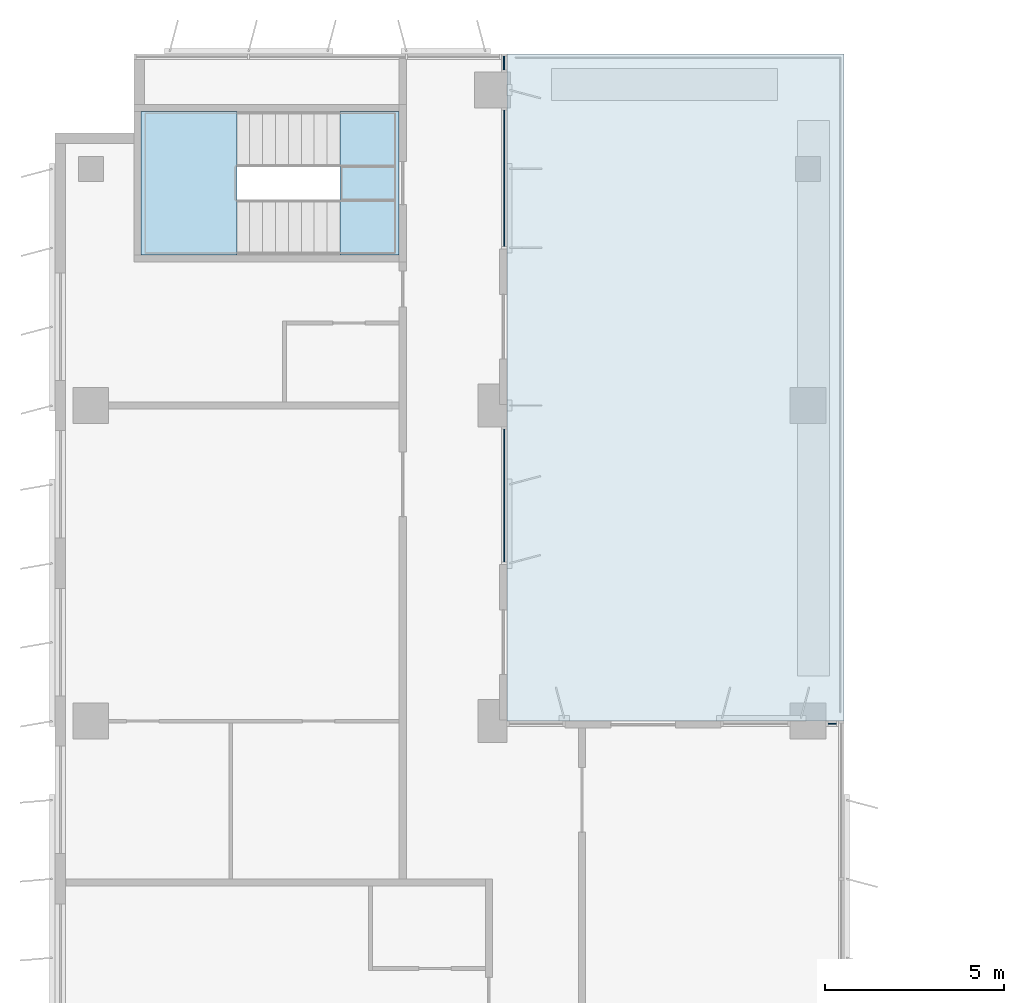
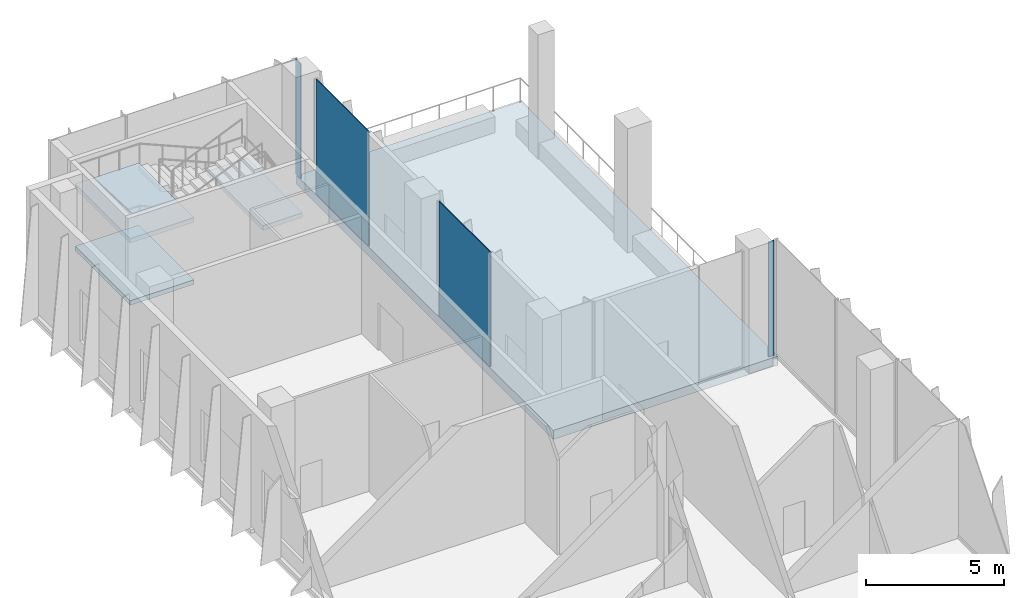
# One storey, part 11 of 24: 4 plates, 4 slabs, 5 elements without a shape of their own.
"""IFC4 building model written with IfcOpenShell, lengths in metres."""

from ifc_helpers import new_model, si_unit, direction, frame, origin, origin_2d, place, context, subcontext, project, spatial, polyline, rectangle, outline, extrude, source, transform, mapped, material, layer, layer_set, type_object, element, aggregate, save


model = new_model("IFC4")

# Units and contexts
model_context = context("Model", 3, precision=1e-05, world=origin(), true_north=direction((0.0, 1.0)))
body_context = subcontext(model_context, "Body", "Model", "MODEL_VIEW")
ifc_project = project(units=[si_unit("LENGTHUNIT", "METRE"), si_unit("AREAUNIT", "SQUARE_METRE"), si_unit("VOLUMEUNIT", "CUBIC_METRE"), si_unit("PLANEANGLEUNIT", "RADIAN"), si_unit("MASSUNIT", "GRAM", prefix="KILO")], contexts=[model_context])

# Site, building, storey
site_placement = place(None, origin())
site = spatial("IfcSite", under=ifc_project, at=site_placement, CompositionType="ELEMENT")
building_placement = place(site_placement, origin())
building = spatial("IfcBuilding", under=site, at=building_placement, Name="Kemantara Hotel Tower", CompositionType="ELEMENT")
storey_placement = place(building_placement, frame((0.0, 0.0, 202.5)))
storey = spatial("IfcBuildingStorey", under=building, at=storey_placement, Name="L50", CompositionType="ELEMENT", Elevation=202.5)

# Slab
ifc_material_1 = material(Name="Concrete fc 40 MPa", Category="concrete")
ifc_layer_1 = layer(ifc_material_1, 0.39990234375)
ifc_layer_set_1 = layer_set([ifc_layer_1], Name="Concrete fc 40 MPa")
slab_type_1 = type_object("IfcSlabType", Name="REINFORCED DECK SLAB 400", PredefinedType="FLOOR", material=ifc_layer_set_1)
slab_1_placement = place(storey_placement, frame((0.0, 0.0, -0.449951171875)))
element("IfcSlab", 1, at=slab_1_placement, inside=storey, type_object=slab_type_1, Name="TERRACE SLAB SPA", PredefinedType="FLOOR", context=body_context, shape_type="SweptSolid", body=[
    extrude(outline(polyline([(22.0, 45.0), (22.0, 63.60009765625), (12.60009765625, 63.60009765625), (12.60009765625, 45.0), (22.0, 45.0)])), origin(), (0.0, 0.0, 1.0), 0.39990234375),
])

# Stair, slabs
stair_type = type_object("IfcStairType", Name="Stair 1550 wide 36 risers of 153 x 360 mm", PredefinedType="HALF_TURN_STAIR", material=ifc_material_1)
stair_placement = place(storey_placement, origin())
stair = element("IfcStair", 2, at=stair_placement, inside=storey, type_object=stair_type, Name="L50 Exit stair ST4", PredefinedType="HALF_TURN_STAIR")
ifc_layer_2 = layer(ifc_material_1, 0.199951171875)
ifc_layer_set_2 = layer_set([ifc_layer_2], Name="Concrete fc 40 MPa")
slab_type_2 = type_object("IfcSlabType", Name="Stair landing 200 mm", PredefinedType="LANDING", material=ifc_layer_set_2)
slab_2_placement = place(storey_placement, frame((0.0, 0.0, 1.175048828125)))
slab_2 = element("IfcSlab", 3, at=slab_2_placement, type_object=slab_type_2, Name="ST4 landing 1", PredefinedType="LANDING", context=body_context, shape_type="SweptSolid", body=[
    extrude(outline(polyline([(5.070068359375, 62.0), (2.39990234375, 62.0), (2.39990234375, 58.0), (5.070068359375, 58.0), (5.070068359375, 62.0)])), origin(), (0.0, 0.0, 1.0), 0.199951171875),
])
slab_3_placement = place(storey_placement, frame((0.0, 0.0, 2.550048828125)))
slab_3 = element("IfcSlab", 4, at=slab_3_placement, type_object=slab_type_2, Name="ST4 landing 2", PredefinedType="LANDING", context=body_context, shape_type="SweptSolid", body=[
    extrude(outline(polyline([(9.60009765625, 62.0), (7.949951171875, 62.0), (7.949951171875, 58.0), (9.60009765625, 58.0), (9.60009765625, 62.0)])), origin(), (0.0, 0.0, 1.0), 0.199951171875),
])
slab_4_placement = place(storey_placement, frame((0.0, 0.0, 3.925048828125)))
slab_4 = element("IfcSlab", 5, at=slab_4_placement, type_object=slab_type_2, Name="ST4 landing 3", PredefinedType="LANDING", context=body_context, shape_type="SweptSolid", body=[
    extrude(outline(polyline([(5.070068359375, 62.0), (2.39990234375, 62.0), (2.39990234375, 58.0), (5.070068359375, 58.0), (5.070068359375, 62.0)])), origin(), (0.0, 0.0, 1.0), 0.199951171875),
])
aggregate(stair, [slab_2, slab_3, slab_4])

# Curtain wall, plate
ifc_material_2 = material(Name="Low-E tinted double insulated glass 36 mm", Category="glass")
curtain_wall_type_1 = type_object("IfcCurtainWallType", Name="TOWER CURTAIN WALL, FRONT FACES", PredefinedType="USERDEFINED", material=ifc_material_2)
curtain_wall_1_placement = place(storey_placement, origin())
curtain_wall_1 = element("IfcCurtainWall", 6, at=curtain_wall_1_placement, inside=storey, type_object=curtain_wall_type_1, Name="CW4 L50 T3S-R01-1", ObjectType="TOWER CURTAIN WALL, FRONT FACES", PredefinedType="USERDEFINED")
ifc_layer_3 = layer(ifc_material_2, 0.035888671875)
ifc_layer_set_3 = layer_set([ifc_layer_3], Name="Low-E tinted double insulated glass 36 mm")
plate_type_1 = type_object("IfcPlateType", Name="TOWER CURTAIN WALL, FRONT FACES PANEL", PredefinedType="CURTAIN_PANEL", material=ifc_layer_set_3)
shared_shape_1 = source(origin(), body_context, "Body", "SweptSolid", [
    extrude(rectangle(XDim=0.22998046875, YDim=0.035888671875, at=origin_2d()), origin(), (0.0, 0.0, 1.0), 5.080078125),
])
plate_1_placement = place(storey_placement, frame((21.675048828125, 44.925048828125, 0.119873046875), z_axis=(0.0, 0.0, 1.0), x_axis=(-1.0, 0.0, 0.0)))
plate_1 = element("IfcPlate", 7, at=plate_1_placement, type_object=plate_type_1, Name="CW4 glass panel T3S-R01-1.1", PredefinedType="CURTAIN_PANEL", context=body_context, shape_type="MappedRepresentation", body=[
    mapped(shared_shape_1, transform((0.0, 0.0, 0.0))),
])
aggregate(curtain_wall_1, [plate_1])

ifc_material_3 = material(Name="Toughened tinted glass 32 mm", Category="glass")
curtain_wall_type_2 = type_object("IfcCurtainWallType", Name="TERRACE GLAZING WALL", PredefinedType="USERDEFINED", material=ifc_material_3)
curtain_wall_2_placement = place(storey_placement, origin())
curtain_wall_2 = element("IfcCurtainWall", 8, at=curtain_wall_2_placement, inside=storey, type_object=curtain_wall_type_2, Name="CW6 L50 T3S-R02-1", ObjectType="TERRACE GLAZING WALL", PredefinedType="USERDEFINED")
ifc_layer_4 = layer(ifc_material_3, 0.031982421875)
ifc_layer_set_4 = layer_set([ifc_layer_4], Name="Toughened tinted glass 32 mm")
plate_type_2 = type_object("IfcPlateType", Name="TERRACE GLAZING WALL PANEL", PredefinedType="CURTAIN_PANEL", material=ifc_layer_set_4)
shared_shape_2 = source(origin(), body_context, "Body", "SweptSolid", [
    extrude(rectangle(XDim=3.7099609375, YDim=0.031982421875, at=origin_2d()), origin(), (0.0, 0.0, 1.0), 5.080078125),
])
plate_2_placement = place(storey_placement, frame((12.52490234375, 51.284912109375, 0.119873046875), z_axis=(0.0, 0.0, 1.0), x_axis=(0.0, 1.0, 0.0)))
plate_2 = element("IfcPlate", 9, at=plate_2_placement, type_object=plate_type_2, Name="CW6 glass panel T3S-R02-1.1", PredefinedType="CURTAIN_PANEL", context=body_context, shape_type="MappedRepresentation", body=[
    mapped(shared_shape_2, transform((0.0, 0.0, 0.0))),
])
aggregate(curtain_wall_2, [plate_2])

curtain_wall_3_placement = place(storey_placement, origin())
curtain_wall_3 = element("IfcCurtainWall", 10, at=curtain_wall_3_placement, inside=storey, type_object=curtain_wall_type_2, Name="CW6 L50 T3S-R02-2", ObjectType="TERRACE GLAZING WALL", PredefinedType="USERDEFINED")
shared_shape_3 = source(origin(), body_context, "Body", "SweptSolid", [
    extrude(rectangle(XDim=3.81005859375, YDim=0.031982421875, at=origin_2d()), origin(), (0.0, 0.0, 1.0), 5.080078125),
])
plate_3_placement = place(storey_placement, frame((12.52490234375, 60.135009765625, 0.119873046875), z_axis=(0.0, 0.0, 1.0), x_axis=(0.0, 1.0, 0.0)))
plate_3 = element("IfcPlate", 11, at=plate_3_placement, type_object=plate_type_2, Name="CW6 glass panel T3S-R02-2.1", PredefinedType="CURTAIN_PANEL", context=body_context, shape_type="MappedRepresentation", body=[
    mapped(shared_shape_3, transform((0.0, 0.0, 0.0))),
])
aggregate(curtain_wall_3, [plate_3])

curtain_wall_4_placement = place(storey_placement, origin())
curtain_wall_4 = element("IfcCurtainWall", 12, at=curtain_wall_4_placement, inside=storey, type_object=curtain_wall_type_1, Name="CW4 L50 T3S-R02-3", ObjectType="TOWER CURTAIN WALL, FRONT FACES", PredefinedType="USERDEFINED")
shared_shape_4 = source(origin(), body_context, "Body", "SweptSolid", [
    extrude(rectangle(XDim=0.3798828125, YDim=0.035888671875, at=origin_2d()), origin(), (0.0, 0.0, 1.0), 5.080078125),
])
plate_4_placement = place(storey_placement, frame((12.52490234375, 63.35009765625, 0.119873046875), z_axis=(0.0, 0.0, 1.0), x_axis=(0.0, 1.0, 0.0)))
plate_4 = element("IfcPlate", 13, at=plate_4_placement, type_object=plate_type_1, Name="CW4 glass panel T3S-R02-3.1", PredefinedType="CURTAIN_PANEL", context=body_context, shape_type="MappedRepresentation", body=[
    mapped(shared_shape_4, transform((0.0, 0.0, 0.0))),
])
aggregate(curtain_wall_4, [plate_4])

save(model, "model.ifc")
